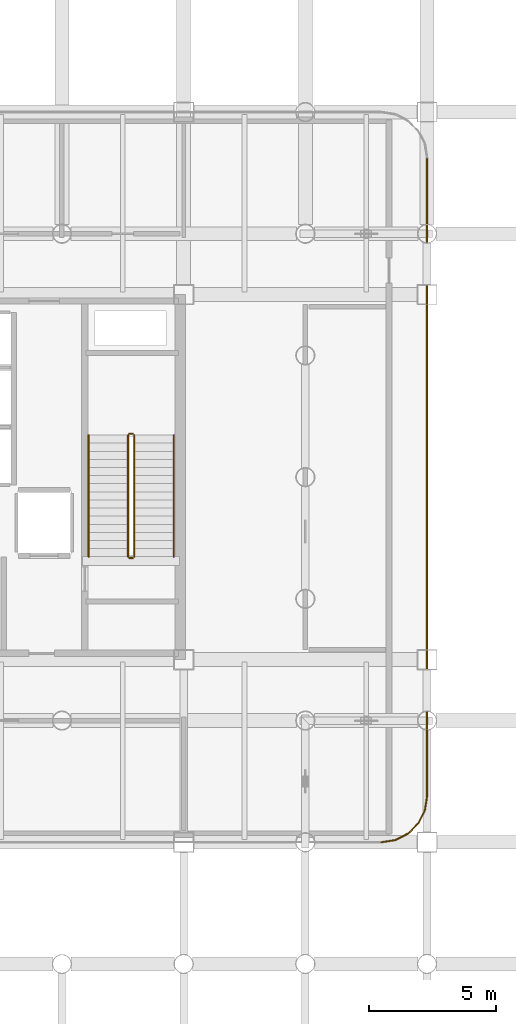
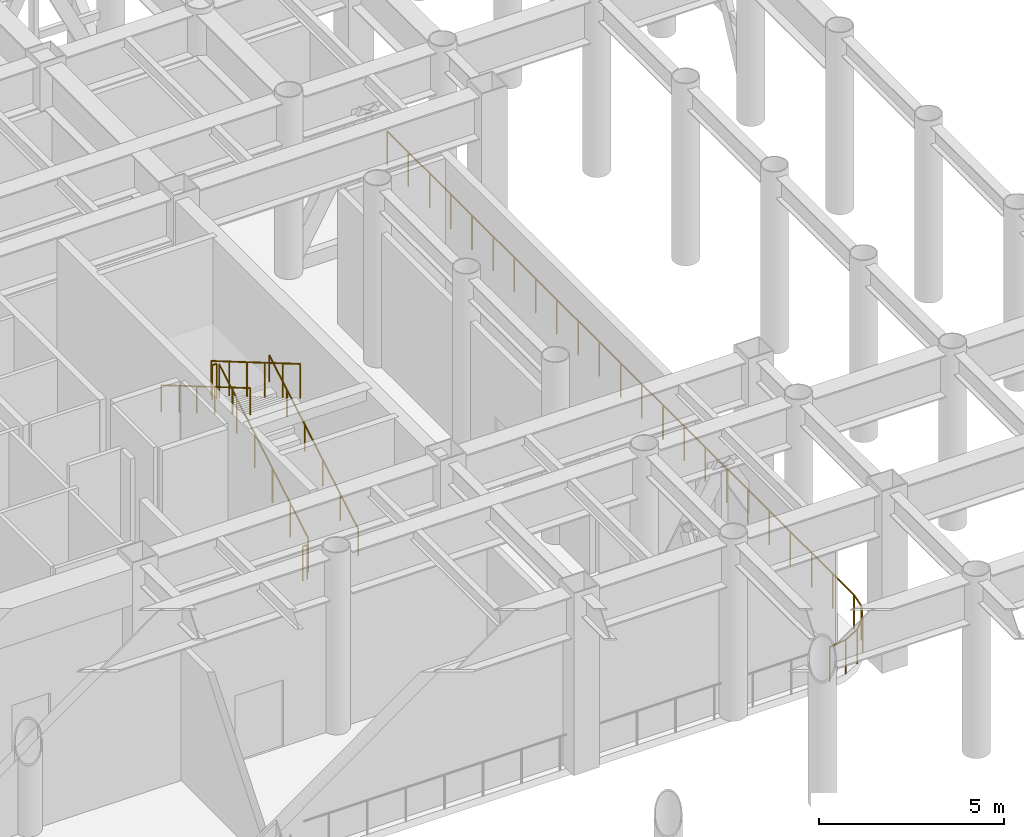
# One storey, part 18 of 19: 12 railings.
"""IFC4 building model written with IfcOpenShell, lengths in metres."""

from ifc_helpers import new_model, si_unit, direction, frame, origin, origin_2d, place, context, subcontext, project, spatial, circle, extrude, material, layer, layer_set, type_object, element, save


model = new_model("IFC4")

# Units and contexts
model_context = context("Model", 3, precision=1e-05, world=origin(), true_north=direction((0.0, 1.0)))
body_context = subcontext(model_context, "Body", "Model", "MODEL_VIEW")
ifc_project = project(units=[si_unit("LENGTHUNIT", "METRE"), si_unit("AREAUNIT", "SQUARE_METRE"), si_unit("VOLUMEUNIT", "CUBIC_METRE"), si_unit("PLANEANGLEUNIT", "RADIAN"), si_unit("MASSUNIT", "GRAM", prefix="KILO")], contexts=[model_context])

# Site, building, storey
site_placement = place(None, origin())
site = spatial("IfcSite", under=ifc_project, at=site_placement, CompositionType="ELEMENT")
building_placement = place(site_placement, origin())
building = spatial("IfcBuilding", under=site, at=building_placement, Name="Kallvorn Hotel Tower", CompositionType="ELEMENT")
storey_placement = place(building_placement, frame((0.0, 0.0, 89.199951171875)))
storey = spatial("IfcBuildingStorey", under=building, at=storey_placement, Name="L21", CompositionType="ELEMENT", Elevation=89.199951171875)

# Railings
ifc_material_1 = material(Name="Brushed stainless-steel tubular railing", Category="steel")
ifc_layer_1 = layer(ifc_material_1, 0.050048828125)
ifc_layer_set_1 = layer_set([ifc_layer_1], Name="RL_STAIR_GUARD")
railing_type_1 = type_object("IfcRailingType", Name="RL_STAIR_GUARD", PredefinedType="GUARDRAIL", material=ifc_layer_set_1)
railing_1_placement = place(storey_placement, frame((12.449951171875, -3.139892578125, 0.1875)))
element("IfcRailing", 1, at=railing_1_placement, inside=storey, type_object=railing_type_1, Name="L21 ST2 stair guard 1", PredefinedType="GUARDRAIL", context=body_context, shape_type="SweptSolid", body=[
    extrude(circle(Radius=0.02392578125, at=origin_2d()), frame((0.0, 0.0, 1.1259765625), z_axis=(0.0, 0.862790387251, 0.505561813893), x_axis=(-1.0, 0.0, 0.0)), (0.0, 0.0, 1.0), 5.563232421875),
    extrude(circle(Radius=0.02099609375, at=origin_2d()), origin(), (0.0, 0.0, 1.0), 1.101806640625),
    extrude(circle(Radius=0.02099609375, at=origin_2d()), frame((0.0, 0.9599609375, 0.5625)), (0.0, 0.0, 1.0), 1.101806640625),
    extrude(circle(Radius=0.02099609375, at=origin_2d()), frame((0.0, 1.919921875, 1.125)), (0.0, 0.0, 1.0), 1.101806640625),
    extrude(circle(Radius=0.02099609375, at=origin_2d()), frame((0.0, 2.8798828125, 1.6875)), (0.0, 0.0, 1.0), 1.101806640625),
    extrude(circle(Radius=0.02099609375, at=origin_2d()), frame((0.0, 3.83984375, 2.25)), (0.0, 0.0, 1.0), 1.101806640625),
    extrude(circle(Radius=0.02099609375, at=origin_2d()), frame((0.0, 4.7998046875, 2.8125)), (0.0, 0.0, 1.0), 1.101806640625),
])
railing_2_placement = place(storey_placement, frame((12.39990234375, 1.7099609375, 3.0)))
element("IfcRailing", 2, at=railing_2_placement, inside=storey, type_object=railing_type_1, Name="L21 ST2 stair guard 2", PredefinedType="GUARDRAIL", context=body_context, shape_type="SweptSolid", body=[
    extrude(circle(Radius=0.02392578125, at=origin_2d()), frame((0.0, 0.0, 1.1259765625), z_axis=(-1.0, 0.0, 0.0), x_axis=(0.0, -1.0, 0.0)), (0.0, 0.0, 1.0), 0.139892578125),
    extrude(circle(Radius=0.02099609375, at=origin_2d()), origin(), (0.0, 0.0, 1.0), 1.101806640625),
    extrude(circle(Radius=0.02099609375, at=origin_2d()), frame((-0.139892578125, 0.0, 0.0)), (0.0, 0.0, 1.0), 1.101806640625),
])
railing_3_placement = place(storey_placement, frame((12.2099609375, 1.659912109375, 3.1875)))
element("IfcRailing", 3, at=railing_3_placement, inside=storey, type_object=railing_type_1, Name="L21 ST2 stair guard 3", PredefinedType="GUARDRAIL", context=body_context, shape_type="SweptSolid", body=[
    extrude(circle(Radius=0.02392578125, at=origin_2d()), frame((0.0, 0.0, 1.1259765625), z_axis=(0.0, -0.862790387251, 0.505561813893), x_axis=(1.0, 0.0, 0.0)), (0.0, 0.0, 1.0), 5.563232421875),
    extrude(circle(Radius=0.02099609375, at=origin_2d()), origin(), (0.0, 0.0, 1.0), 1.101806640625),
    extrude(circle(Radius=0.02099609375, at=origin_2d()), frame((0.0, -0.9599609375, 0.5625)), (0.0, 0.0, 1.0), 1.101806640625),
    extrude(circle(Radius=0.02099609375, at=origin_2d()), frame((0.0, -1.919921875, 1.125)), (0.0, 0.0, 1.0), 1.101806640625),
    extrude(circle(Radius=0.02099609375, at=origin_2d()), frame((0.0, -2.8798828125, 1.6875)), (0.0, 0.0, 1.0), 1.101806640625),
    extrude(circle(Radius=0.02099609375, at=origin_2d()), frame((0.0, -3.83984375, 2.25)), (0.0, 0.0, 1.0), 1.101806640625),
    extrude(circle(Radius=0.02099609375, at=origin_2d()), frame((0.0, -4.7998046875, 2.8125)), (0.0, 0.0, 1.0), 1.101806640625),
])
railing_4_placement = place(storey_placement, frame((12.39990234375, -3.18994140625, 0.0)))
element("IfcRailing", 4, at=railing_4_placement, inside=storey, type_object=railing_type_1, Name="L21 ST2 stair guard 4", PredefinedType="GUARDRAIL", context=body_context, shape_type="SweptSolid", body=[
    extrude(circle(Radius=0.02392578125, at=origin_2d()), frame((0.0, 0.0, 1.1259765625), z_axis=(-1.0, 0.0, 0.0), x_axis=(0.0, -1.0, 0.0)), (0.0, 0.0, 1.0), 0.139892578125),
    extrude(circle(Radius=0.02099609375, at=origin_2d()), origin(), (0.0, 0.0, 1.0), 1.101806640625),
    extrude(circle(Radius=0.02099609375, at=origin_2d()), frame((-0.139892578125, 0.0, 0.0)), (0.0, 0.0, 1.0), 1.101806640625),
])
ifc_material_2 = material(Name="Brushed stainless-steel tubular railing", Category="steel")
ifc_layer_2 = layer(ifc_material_2, 0.050048828125)
ifc_layer_set_2 = layer_set([ifc_layer_2], Name="RL_STAIR_HAND")
railing_type_2 = type_object("IfcRailingType", Name="RL_STAIR_HAND", PredefinedType="HANDRAIL", material=ifc_layer_set_2)
railing_5_placement = place(storey_placement, frame((14.010009765625, -3.139892578125, 0.1875)))
element("IfcRailing", 5, at=railing_5_placement, inside=storey, type_object=railing_type_2, Name="L21 ST2 stair handrail 1", PredefinedType="HANDRAIL", context=body_context, shape_type="SweptSolid", body=[
    extrude(circle(Radius=0.02392578125, at=origin_2d()), frame((0.0, 0.0, 0.8759765625), z_axis=(0.0, 0.862790387251, 0.505561813893), x_axis=(-1.0, 0.0, 0.0)), (0.0, 0.0, 1.0), 5.563232421875),
    extrude(circle(Radius=0.02099609375, at=origin_2d()), origin(), (0.0, 0.0, 1.0), 0.851806640625),
    extrude(circle(Radius=0.02099609375, at=origin_2d()), frame((0.0, 0.9599609375, 0.5625)), (0.0, 0.0, 1.0), 0.851806640625),
    extrude(circle(Radius=0.02099609375, at=origin_2d()), frame((0.0, 1.919921875, 1.125)), (0.0, 0.0, 1.0), 0.851806640625),
    extrude(circle(Radius=0.02099609375, at=origin_2d()), frame((0.0, 2.8798828125, 1.6875)), (0.0, 0.0, 1.0), 0.851806640625),
    extrude(circle(Radius=0.02099609375, at=origin_2d()), frame((0.0, 3.83984375, 2.25)), (0.0, 0.0, 1.0), 0.851806640625),
    extrude(circle(Radius=0.02099609375, at=origin_2d()), frame((0.0, 4.7998046875, 2.8125)), (0.0, 0.0, 1.0), 0.851806640625),
])
railing_6_placement = place(storey_placement, frame((10.64990234375, 1.659912109375, 3.1875)))
element("IfcRailing", 6, at=railing_6_placement, inside=storey, type_object=railing_type_2, Name="L21 ST2 stair handrail 2", PredefinedType="HANDRAIL", context=body_context, shape_type="SweptSolid", body=[
    extrude(circle(Radius=0.02392578125, at=origin_2d()), frame((0.0, 0.0, 0.8759765625), z_axis=(0.0, -0.862790387251, 0.505561813893), x_axis=(1.0, 0.0, 0.0)), (0.0, 0.0, 1.0), 5.563232421875),
    extrude(circle(Radius=0.02099609375, at=origin_2d()), origin(), (0.0, 0.0, 1.0), 0.851806640625),
    extrude(circle(Radius=0.02099609375, at=origin_2d()), frame((0.0, -0.9599609375, 0.5625)), (0.0, 0.0, 1.0), 0.851806640625),
    extrude(circle(Radius=0.02099609375, at=origin_2d()), frame((0.0, -1.919921875, 1.125)), (0.0, 0.0, 1.0), 0.851806640625),
    extrude(circle(Radius=0.02099609375, at=origin_2d()), frame((0.0, -2.8798828125, 1.6875)), (0.0, 0.0, 1.0), 0.851806640625),
    extrude(circle(Radius=0.02099609375, at=origin_2d()), frame((0.0, -3.83984375, 2.25)), (0.0, 0.0, 1.0), 0.851806640625),
    extrude(circle(Radius=0.02099609375, at=origin_2d()), frame((0.0, -4.7998046875, 2.8125)), (0.0, 0.0, 1.0), 0.851806640625),
])
ifc_material_3 = material(Name="Galvanised painted steel S275JR balustrade", Category="steel")
ifc_layer_3 = layer(ifc_material_3, 0.06005859375)
ifc_layer_set_3 = layer_set([ifc_layer_3], Name="RL_WIND_GUARD_1150")
railing_type_3 = type_object("IfcRailingType", Name="RL_WIND_GUARD_1150", PredefinedType="GUARDRAIL", material=ifc_layer_set_3)
railing_7_placement = place(storey_placement, frame((22.199951171875, -14.39990234375, 0.0)))
element("IfcRailing", 7, at=railing_7_placement, inside=storey, type_object=railing_type_3, Name="L21 Exterior Safety Guardrail WIND-L21-01", PredefinedType="GUARDRAIL", context=body_context, shape_type="SweptSolid", body=[
    extrude(circle(Radius=0.02392578125, at=origin_2d()), frame((0.0, 0.0, 1.1259765625), z_axis=(0.987741862218, 0.156096167866, 0.0), x_axis=(-0.156096167866, 0.987741862218, 0.0)), (0.0, 0.0, 1.0), 0.56298828125),
    extrude(circle(Radius=0.02099609375, at=origin_2d()), origin(), (0.0, 0.0, 1.0), 1.101806640625),
    extrude(circle(Radius=0.02099609375, at=origin_2d()), frame((0.55615234375, 0.087890625, 0.0)), (0.0, 0.0, 1.0), 1.101806640625),
])
railing_8_placement = place(storey_placement, frame((22.756103515625, -14.31201171875, 0.0)))
element("IfcRailing", 8, at=railing_8_placement, inside=storey, type_object=railing_type_3, Name="L21 Exterior Safety Guardrail WIND-L21-02", PredefinedType="GUARDRAIL", context=body_context, shape_type="SweptSolid", body=[
    extrude(circle(Radius=0.02392578125, at=origin_2d()), frame((0.0, 0.0, 1.1259765625), z_axis=(0.89093365011, 0.454133494803, 0.0), x_axis=(-0.454133494803, 0.89093365011, 0.0)), (0.0, 0.0, 1.0), 0.5634765625),
    extrude(circle(Radius=0.02099609375, at=origin_2d()), origin(), (0.0, 0.0, 1.0), 1.101806640625),
    extrude(circle(Radius=0.02099609375, at=origin_2d()), frame((0.501953125, 0.255859375, 0.0)), (0.0, 0.0, 1.0), 1.101806640625),
])
railing_9_placement = place(storey_placement, frame((23.258056640625, -14.05615234375, 0.0)))
element("IfcRailing", 9, at=railing_9_placement, inside=storey, type_object=railing_type_3, Name="L21 Exterior Safety Guardrail WIND-L21-03", PredefinedType="GUARDRAIL", context=body_context, shape_type="SweptSolid", body=[
    extrude(circle(Radius=0.02392578125, at=origin_2d()), frame((0.0, 0.0, 1.1259765625), z_axis=(0.707106781187, 0.707106781187, 0.0), x_axis=(-0.707106781187, 0.707106781187, 0.0)), (0.0, 0.0, 1.0), 0.563232421875),
    extrude(circle(Radius=0.02099609375, at=origin_2d()), origin(), (0.0, 0.0, 1.0), 1.101806640625),
    extrude(circle(Radius=0.02099609375, at=origin_2d()), frame((0.398193359375, 0.398193359375, 0.0)), (0.0, 0.0, 1.0), 1.101806640625),
])
railing_10_placement = place(storey_placement, frame((23.65625, -13.657958984375, 0.0)))
element("IfcRailing", 10, at=railing_10_placement, inside=storey, type_object=railing_type_3, Name="L21 Exterior Safety Guardrail WIND-L21-04", PredefinedType="GUARDRAIL", context=body_context, shape_type="SweptSolid", body=[
    extrude(circle(Radius=0.02392578125, at=origin_2d()), frame((0.0, 0.0, 1.1259765625), z_axis=(0.453964752271, 0.89101964271, 0.0), x_axis=(-0.89101964271, 0.453964752271, 0.0)), (0.0, 0.0, 1.0), 0.56298828125),
    extrude(circle(Radius=0.02099609375, at=origin_2d()), origin(), (0.0, 0.0, 1.0), 1.101806640625),
    extrude(circle(Radius=0.02099609375, at=origin_2d()), frame((0.255615234375, 0.501708984375, 0.0)), (0.0, 0.0, 1.0), 1.101806640625),
])
railing_11_placement = place(storey_placement, frame((23.911865234375, -13.15625, 0.0)))
element("IfcRailing", 11, at=railing_11_placement, inside=storey, type_object=railing_type_3, Name="L21 Exterior Safety Guardrail WIND-L21-05", PredefinedType="GUARDRAIL", context=body_context, shape_type="SweptSolid", body=[
    extrude(circle(Radius=0.02392578125, at=origin_2d()), frame((0.0, 0.0, 1.1259765625), z_axis=(0.156519160234, 0.987674922472, 0.0), x_axis=(-0.987674922472, 0.156519160234, 0.0)), (0.0, 0.0, 1.0), 0.56298828125),
    extrude(circle(Radius=0.02099609375, at=origin_2d()), origin(), (0.0, 0.0, 1.0), 1.101806640625),
    extrude(circle(Radius=0.02099609375, at=origin_2d()), frame((0.088134765625, 0.55615234375, 0.0)), (0.0, 0.0, 1.0), 1.101806640625),
])
railing_12_placement = place(storey_placement, frame((24.0, -12.60009765625, 0.0)))
element("IfcRailing", 12, at=railing_12_placement, inside=storey, type_object=railing_type_3, Name="L21 Exterior Safety Guardrail WIND-L21-06", PredefinedType="GUARDRAIL", context=body_context, shape_type="SweptSolid", body=[
    extrude(circle(Radius=0.02392578125, at=origin_2d()), frame((0.0, 0.0, 1.1259765625), z_axis=(0.0, 1.0, 0.0), x_axis=(-1.0, 0.0, 0.0)), (0.0, 0.0, 1.0), 25.2001953125),
    extrude(circle(Radius=0.02099609375, at=origin_2d()), origin(), (0.0, 0.0, 1.0), 1.101806640625),
    extrude(circle(Radius=0.02099609375, at=origin_2d()), frame((0.0, 1.1455078125, 0.0)), (0.0, 0.0, 1.0), 1.101806640625),
    extrude(circle(Radius=0.02099609375, at=origin_2d()), frame((0.0, 2.291015625, 0.0)), (0.0, 0.0, 1.0), 1.101806640625),
    extrude(circle(Radius=0.02099609375, at=origin_2d()), frame((0.0, 3.436279296875, 0.0)), (0.0, 0.0, 1.0), 1.101806640625),
    extrude(circle(Radius=0.02099609375, at=origin_2d()), frame((0.0, 4.581787109375, 0.0)), (0.0, 0.0, 1.0), 1.101806640625),
    extrude(circle(Radius=0.02099609375, at=origin_2d()), frame((0.0, 5.727294921875, 0.0)), (0.0, 0.0, 1.0), 1.101806640625),
    extrude(circle(Radius=0.02099609375, at=origin_2d()), frame((0.0, 6.872802734375, 0.0)), (0.0, 0.0, 1.0), 1.101806640625),
    extrude(circle(Radius=0.02099609375, at=origin_2d()), frame((0.0, 8.018310546875, 0.0)), (0.0, 0.0, 1.0), 1.101806640625),
    extrude(circle(Radius=0.02099609375, at=origin_2d()), frame((0.0, 9.163818359375, 0.0)), (0.0, 0.0, 1.0), 1.101806640625),
    extrude(circle(Radius=0.02099609375, at=origin_2d()), frame((0.0, 10.30908203125, 0.0)), (0.0, 0.0, 1.0), 1.101806640625),
    extrude(circle(Radius=0.02099609375, at=origin_2d()), frame((0.0, 11.45458984375, 0.0)), (0.0, 0.0, 1.0), 1.101806640625),
    extrude(circle(Radius=0.02099609375, at=origin_2d()), frame((0.0, 12.60009765625, 0.0)), (0.0, 0.0, 1.0), 1.101806640625),
    extrude(circle(Radius=0.02099609375, at=origin_2d()), frame((0.0, 13.74560546875, 0.0)), (0.0, 0.0, 1.0), 1.101806640625),
    extrude(circle(Radius=0.02099609375, at=origin_2d()), frame((0.0, 14.89111328125, 0.0)), (0.0, 0.0, 1.0), 1.101806640625),
    extrude(circle(Radius=0.02099609375, at=origin_2d()), frame((0.0, 16.036376953125, 0.0)), (0.0, 0.0, 1.0), 1.101806640625),
    extrude(circle(Radius=0.02099609375, at=origin_2d()), frame((0.0, 17.181884765625, 0.0)), (0.0, 0.0, 1.0), 1.101806640625),
    extrude(circle(Radius=0.02099609375, at=origin_2d()), frame((0.0, 18.327392578125, 0.0)), (0.0, 0.0, 1.0), 1.101806640625),
    extrude(circle(Radius=0.02099609375, at=origin_2d()), frame((0.0, 19.472900390625, 0.0)), (0.0, 0.0, 1.0), 1.101806640625),
    extrude(circle(Radius=0.02099609375, at=origin_2d()), frame((0.0, 20.618408203125, 0.0)), (0.0, 0.0, 1.0), 1.101806640625),
    extrude(circle(Radius=0.02099609375, at=origin_2d()), frame((0.0, 21.763916015625, 0.0)), (0.0, 0.0, 1.0), 1.101806640625),
    extrude(circle(Radius=0.02099609375, at=origin_2d()), frame((0.0, 22.9091796875, 0.0)), (0.0, 0.0, 1.0), 1.101806640625),
    extrude(circle(Radius=0.02099609375, at=origin_2d()), frame((0.0, 24.0546875, 0.0)), (0.0, 0.0, 1.0), 1.101806640625),
    extrude(circle(Radius=0.02099609375, at=origin_2d()), frame((0.0, 25.2001953125, 0.0)), (0.0, 0.0, 1.0), 1.101806640625),
])

save(model, "model.ifc")
